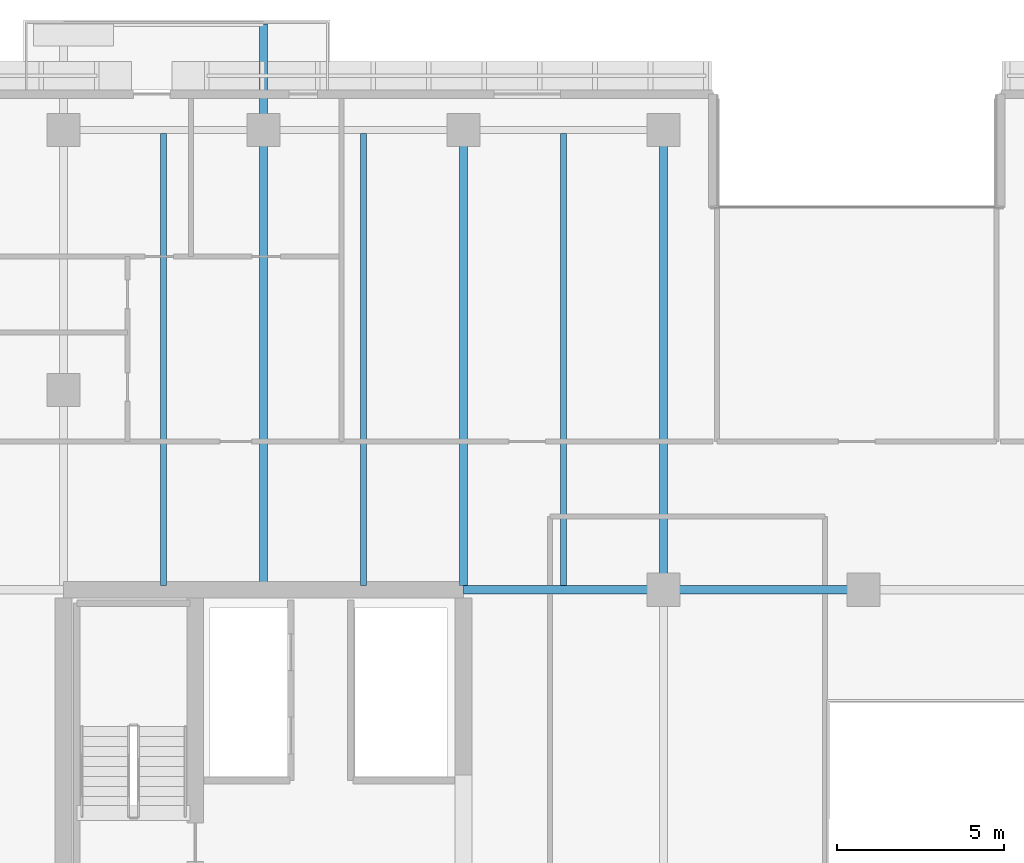
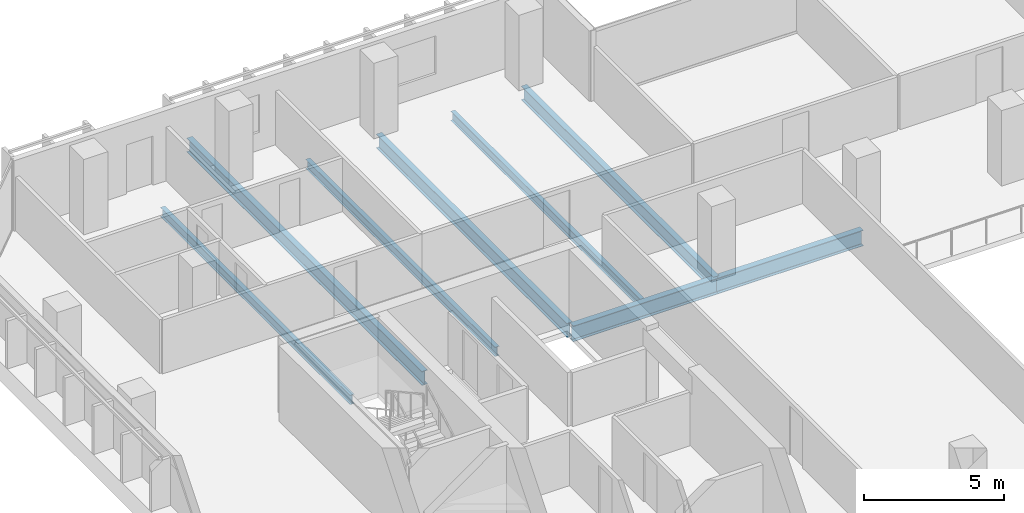
# One storey, part 9 of 35: 8 beams.
"""IFC4 building model written with IfcOpenShell, lengths in metres."""

import ifcopenshell
import ifcopenshell.guid

model = None  # the IFC model being written
_history = None  # IfcOwnerHistory: only IFC2X3 demands one
_inside = {}  # id of a spatial element -> (the spatial element, [elements in it])
_under = {}  # id of a project, library or spatial element -> (it, [spatial elements below it])
_declared = {}  # id of a project -> (the project, [libraries it declares])
_typed = {}  # id of a type object -> (the type object, [elements of that type])
_made_of = {}  # id of a material, layer set ... -> (it, [elements and type objects made of it])


def new_model(schema):
    """Start an empty IFC model of exactly this schema.

    Asked for "IFC4X3", IfcOpenShell would pick the latest addendum, in which some entities
    have other attributes; the version numbers below select the first issue.
    IFC2X3 requires an IfcOwnerHistory on every rooted entity: one is made here for all.
    """
    global model, _history
    if schema == "IFC4X3":
        model = ifcopenshell.file(schema_version=(4, 3, 0, 0))
    else:
        model = ifcopenshell.file(schema=schema)
    _inside.clear()
    _under.clear()
    _declared.clear()
    _typed.clear()
    _made_of.clear()
    _history = None
    if model.schema == "IFC2X3":
        org = make("IfcOrganization", Name="unknown")
        user = make(
            "IfcPersonAndOrganization",
            ThePerson=make("IfcPerson", FamilyName="unknown"),
            TheOrganization=org,
        )
        app = make(
            "IfcApplication",
            ApplicationDeveloper=org,
            Version="unknown",
            ApplicationFullName="unknown",
            ApplicationIdentifier="unknown",
        )
        _history = make(
            "IfcOwnerHistory",
            OwningUser=user,
            OwningApplication=app,
            ChangeAction="ADDED",
            CreationDate=0,
        )
    return model


def make(cls, **values):
    """One entity of the class cls with the attributes given. An attribute that is None is left unset."""
    return model.create_entity(
        cls, **{name: value for name, value in values.items() if value is not None}
    )


def rooted(cls, **values):
    """An entity with a GlobalId (a new one), such as an element, a storey or a relation."""
    return make(cls, GlobalId=ifcopenshell.guid.new(), OwnerHistory=_history, **values)


def si_unit(unit_type, name, prefix=None):
    """IfcSIUnit, for example si_unit("LENGTHUNIT", "METRE", prefix="MILLI")."""
    return make("IfcSIUnit", UnitType=unit_type, Prefix=prefix, Name=name)


def assignment(units):
    """IfcUnitAssignment: the units of a project."""
    return None if units is None else make("IfcUnitAssignment", Units=units)


def point(xyz):
    """IfcCartesianPoint."""
    return None if xyz is None else make("IfcCartesianPoint", Coordinates=xyz)


def direction(xyz):
    """IfcDirection."""
    return None if xyz is None else make("IfcDirection", DirectionRatios=xyz)


def frame(location, z_axis=None, x_axis=None):
    """IfcAxis2Placement3D, a coordinate frame: its origin and axes. An axis left out is left unset."""
    return make(
        "IfcAxis2Placement3D",
        Location=point(location),
        Axis=direction(z_axis),
        RefDirection=direction(x_axis),
    )


def frame_2d(location, x_axis=None):
    """IfcAxis2Placement2D, a coordinate frame in the plane: its origin and x axis."""
    return make(
        "IfcAxis2Placement2D", Location=point(location), RefDirection=direction(x_axis)
    )


def origin():
    """The frame at (0, 0, 0) with its axes left unset."""
    return frame((0.0, 0.0, 0.0))


def origin_2d():
    """The frame at (0, 0) in the plane with its x axis left unset."""
    return frame_2d((0.0, 0.0))


def place(relative_to, where):
    """IfcLocalPlacement: puts the frame where relative to a parent placement (None: the world)."""
    return make(
        "IfcLocalPlacement", PlacementRelTo=relative_to, RelativePlacement=where
    )


def context(
    kind, dimensions, precision=None, world=None, true_north=None, identifier=None
):
    """IfcGeometricRepresentationContext, for example the 3D "Model" context."""
    return make(
        "IfcGeometricRepresentationContext",
        ContextIdentifier=identifier,
        ContextType=kind,
        CoordinateSpaceDimension=dimensions,
        Precision=precision,
        WorldCoordinateSystem=world,
        TrueNorth=true_north,
    )


def subcontext(parent, identifier, kind, view, scale=None):
    """IfcGeometricRepresentationSubContext, for example "Body" below "Model"."""
    return make(
        "IfcGeometricRepresentationSubContext",
        ContextIdentifier=identifier,
        ContextType=kind,
        ParentContext=parent,
        TargetScale=scale,
        TargetView=view,
    )


def project(units=None, contexts=None):
    """IfcProject with its units and contexts."""
    return rooted(
        "IfcProject",
        Name="project",
        RepresentationContexts=contexts,
        UnitsInContext=assignment(units),
    )


def spatial(cls, under=None, at=None, **own):
    """A site, building, storey or space (cls), placed at a placement, below another one or the project."""
    s = rooted(cls, ObjectPlacement=at, **own)
    if under is not None:
        _under.setdefault(under.id(), (under, []))[1].append(s)
    return s


def profile(cls, at=None, kind="AREA", **sizes):
    """A parametric profile (cls). Its sizes go by their IFC names, for example OverallWidth=200.0."""
    return make(cls, ProfileType=kind, Position=at, **sizes)


def i_section(**sizes):
    """IfcIShapeProfileDef."""
    return profile("IfcIShapeProfileDef", **sizes)


def extrude(swept, where, along, depth):
    """IfcExtrudedAreaSolid: the profile swept, set in the frame where, extruded along a direction by depth."""
    return make(
        "IfcExtrudedAreaSolid",
        SweptArea=swept,
        Position=where,
        ExtrudedDirection=direction(along),
        Depth=depth,
    )


def shape(context_of_items, identifier, shape_type, items):
    """IfcShapeRepresentation: the items that make up one representation, for example the "Body"."""
    return make(
        "IfcShapeRepresentation",
        ContextOfItems=context_of_items,
        RepresentationIdentifier=identifier,
        RepresentationType=shape_type,
        Items=items,
    )


def material(Name=None, Category=None):
    """IfcMaterial."""
    return make("IfcMaterial", Name=Name, Category=Category)


def material_profile(
    of_material, cross_section, Name=None, Category=None, Priority=None
):
    """IfcMaterialProfile: a cross section and its material."""
    return make(
        "IfcMaterialProfile",
        Name=Name,
        Material=of_material,
        Profile=cross_section,
        Priority=Priority,
        Category=Category,
    )


def profile_set(profiles, Name=None, composite=None):
    """IfcMaterialProfileSet."""
    return make(
        "IfcMaterialProfileSet",
        Name=Name,
        MaterialProfiles=profiles,
        CompositeProfile=composite,
    )


def made_of(thing, what):
    """Note that an element or type object is made of a material, layer set ...; save() writes the relation."""
    if what is not None:
        _made_of.setdefault(what.id(), (what, []))[1].append(thing)
    return thing


def type_object(cls, material=None, **own):
    """A type object (cls), such as IfcWallType, which elements share."""
    return made_of(rooted(cls, **own), material)


def element(
    cls,
    number,
    at=None,
    inside=None,
    cuts=None,
    type_object=None,
    material=None,
    context=None,
    identifier="Body",
    shape_type=None,
    held_by="IfcProductDefinitionShape",
    body=None,
    shapes=None,
    **own,
):
    """One element of the class cls, such as IfcWall. Its Tag is "e" and its number.

    at: its placement. inside: the storey or other place that contains it. cuts: it is an
    opening in that element (IfcRelVoidsElement). A single representation is given by context,
    identifier, shape_type and body (its items); several are given by shapes. held_by: the class
    of the entity that holds the representations. save() writes the other relations.
    """
    e = rooted(cls, Tag="e%d" % number, ObjectPlacement=at, **own)
    if body is not None:
        shapes = [shape(context, identifier, shape_type, body)]
    if shapes is not None:
        e.Representation = make(held_by, Representations=shapes)
    if inside is not None:
        _inside.setdefault(inside.id(), (inside, []))[1].append(e)
    if cuts is not None:
        rooted(
            "IfcRelVoidsElement", RelatingBuildingElement=cuts, RelatedOpeningElement=e
        )
    if type_object is not None:
        _typed.setdefault(type_object.id(), (type_object, []))[1].append(e)
    return made_of(e, material)


def aggregate(whole, parts):
    """IfcRelAggregates: a whole, such as a stair, and the parts it consists of."""
    return rooted("IfcRelAggregates", RelatingObject=whole, RelatedObjects=parts)


def save(model, path):
    """Write the relations noted so far, then the file.

    IfcRelAggregates (storeys below a building ...), IfcRelContainedInSpatialStructure (elements
    in a storey), IfcRelDefinesByType, IfcRelAssociatesMaterial and IfcRelDeclares: one each for
    every whole, place, type object, material and project.
    """
    for whole, parts in _under.values():
        aggregate(whole, parts)
    for where, things in _inside.values():
        rooted(
            "IfcRelContainedInSpatialStructure",
            RelatedElements=things,
            RelatingStructure=where,
        )
    for kind, things in _typed.values():
        rooted("IfcRelDefinesByType", RelatedObjects=things, RelatingType=kind)
    for what, things in _made_of.values():
        rooted("IfcRelAssociatesMaterial", RelatedObjects=things, RelatingMaterial=what)
    for by, libraries in _declared.values():
        rooted("IfcRelDeclares", RelatingContext=by, RelatedDefinitions=libraries)
    model.write(path)


model = new_model("IFC4")

# Units and contexts
model_context = context("Model", 3, precision=1e-05, world=origin(), true_north=direction((0.0, 1.0)))
body_context = subcontext(model_context, "Body", "Model", "MODEL_VIEW")
ifc_project = project(units=[si_unit("LENGTHUNIT", "METRE"), si_unit("AREAUNIT", "SQUARE_METRE"), si_unit("VOLUMEUNIT", "CUBIC_METRE"), si_unit("PLANEANGLEUNIT", "RADIAN"), si_unit("MASSUNIT", "GRAM", prefix="KILO")], contexts=[model_context])

# Site, building, storey
site_placement = place(None, origin())
site = spatial("IfcSite", under=ifc_project, at=site_placement, CompositionType="ELEMENT")
building_placement = place(site_placement, origin())
building = spatial("IfcBuilding", under=site, at=building_placement, Name="Tanjung Sevakor Pilgrim Tower", CompositionType="ELEMENT")
storey_placement = place(building_placement, frame((0.0, 0.0, 92.070068359375)))
storey = spatial("IfcBuildingStorey", under=building, at=storey_placement, Name="L25", CompositionType="ELEMENT", Elevation=92.070068359375)

# Beams
ifc_material_1 = material(Name="Steel S355J2", Category="steel")
ifc_material_profile_1 = material_profile(ifc_material_1, i_section(OverallWidth=0.25439453125, OverallDepth=0.6875, WebThickness=0.01318359375, FlangeThickness=0.02099609375, FilletRadius=0.01513671875, at=origin_2d()))
ifc_profile_set_1 = profile_set([ifc_material_profile_1], Name="Steel S355J2")
beam_type_1 = type_object("IfcBeamType", Name="BM-B-G2-UB_686x254x152", PredefinedType="BEAM", material=ifc_profile_set_1)
for number, where, z_axis, x_axis, name in (
    (1, (36.0, 42.60009765625, -0.56396484375), (1.0, 0.0, 0.0), (0.0, 1.0, 0.0), "L25 Primary Floor Girder MAIN Y426-02"),
    (2, (42.0, 42.60009765625, -0.56396484375), (1.0, 0.0, 0.0), (0.0, 1.0, 0.0), "L25 Primary Floor Girder MAIN Y426-03"),
):
    element("IfcBeam", number, at=place(storey_placement, frame(where, z_axis=z_axis, x_axis=x_axis)), inside=storey, type_object=beam_type_1, Name=name, PredefinedType="BEAM", context=body_context, shape_type="SweptSolid", body=[
        extrude(i_section(OverallWidth=0.25439453125, OverallDepth=0.6875, WebThickness=0.01318359375, FlangeThickness=0.02099609375, FilletRadius=0.01513671875, at=origin_2d()), origin(), (0.0, 0.0, 1.0), 6.0),
    ])
ifc_material_2 = material(Name="Steel S355J2", Category="steel")
ifc_material_profile_2 = material_profile(ifc_material_2, i_section(OverallWidth=0.230224609375, OverallDepth=0.6171875, WebThickness=0.01318359375, FlangeThickness=0.022216796875, FilletRadius=0.0126953125, at=origin_2d()))
ifc_profile_set_2 = profile_set([ifc_material_profile_2], Name="Steel S355J2")
beam_type_2 = type_object("IfcBeamType", Name="BM-B-G3-UB_610x229x140", PredefinedType="BEAM", material=ifc_profile_set_2)
beam_1_placement = place(storey_placement, frame((30.0, 42.727294921875, -0.528564453125), z_axis=(0.0, 1.0, 0.0), x_axis=(-1.0, 0.0, 0.0)))
element("IfcBeam", 3, at=beam_1_placement, inside=storey, type_object=beam_type_2, Name="L25 Balcony Cantilever Beam MAIN-N1-2", PredefinedType="BEAM", context=body_context, shape_type="SweptSolid", body=[
    extrude(i_section(OverallWidth=0.230224609375, OverallDepth=0.6171875, WebThickness=0.01318359375, FlangeThickness=0.022216796875, FilletRadius=0.0126953125, at=origin_2d()), origin(), (0.0, 0.0, 1.0), 16.852783203125),
])
beam_2_placement = place(storey_placement, frame((36.0, 42.727294921875, -0.528564453125), z_axis=(0.0, 1.0, 0.0), x_axis=(-1.0, 0.0, 0.0)))
element("IfcBeam", 4, at=beam_2_placement, inside=storey, type_object=beam_type_2, Name="L25 MAIN Girder 006", PredefinedType="BEAM", context=body_context, shape_type="SweptSolid", body=[
    extrude(i_section(OverallWidth=0.230224609375, OverallDepth=0.6171875, WebThickness=0.01318359375, FlangeThickness=0.022216796875, FilletRadius=0.0126953125, at=origin_2d()), origin(), (0.0, 0.0, 1.0), 13.672607421875),
])
beam_3_placement = place(storey_placement, frame((42.0, 42.60009765625, -0.528564453125), z_axis=(0.0, 1.0, 0.0), x_axis=(-1.0, 0.0, 0.0)))
element("IfcBeam", 5, at=beam_3_placement, inside=storey, type_object=beam_type_2, Name="L25 MAIN Girder 011", PredefinedType="BEAM", context=body_context, shape_type="SweptSolid", body=[
    extrude(i_section(OverallWidth=0.230224609375, OverallDepth=0.6171875, WebThickness=0.01318359375, FlangeThickness=0.022216796875, FilletRadius=0.0126953125, at=origin_2d()), origin(), (0.0, 0.0, 1.0), 13.7998046875),
])
ifc_material_3 = material(Name="Steel S355J2", Category="steel")
ifc_material_profile_3 = material_profile(ifc_material_3, i_section(OverallWidth=0.1787109375, OverallDepth=0.409423828125, WebThickness=0.0087890625, FlangeThickness=0.014404296875, FilletRadius=0.01025390625, at=origin_2d()))
ifc_profile_set_3 = profile_set([ifc_material_profile_3], Name="Steel S355J2")
beam_type_3 = type_object("IfcBeamType", Name="BM-B-J3-UB_406x178x67", PredefinedType="JOIST", material=ifc_profile_set_3)
for number, where, z_axis, x_axis, name in (
    (6, (27.0, 42.727294921875, -0.4248046875), (0.0, 1.0, 0.0), (-1.0, 0.0, 0.0), "L25 MAIN Joist 002"),
    (7, (33.0, 42.727294921875, -0.4248046875), (0.0, 1.0, 0.0), (-1.0, 0.0, 0.0), "L25 MAIN Joist 004"),
    (8, (39.0, 42.727294921875, -0.4248046875), (0.0, 1.0, 0.0), (-1.0, 0.0, 0.0), "L25 MAIN Joist 008"),
):
    element("IfcBeam", number, at=place(storey_placement, frame(where, z_axis=z_axis, x_axis=x_axis)), inside=storey, type_object=beam_type_3, Name=name, PredefinedType="JOIST", context=body_context, shape_type="SweptSolid", body=[
        extrude(i_section(OverallWidth=0.1787109375, OverallDepth=0.409423828125, WebThickness=0.0087890625, FlangeThickness=0.014404296875, FilletRadius=0.01025390625, at=origin_2d()), origin(), (0.0, 0.0, 1.0), 13.57275390625),
    ])

save(model, "model.ifc")
